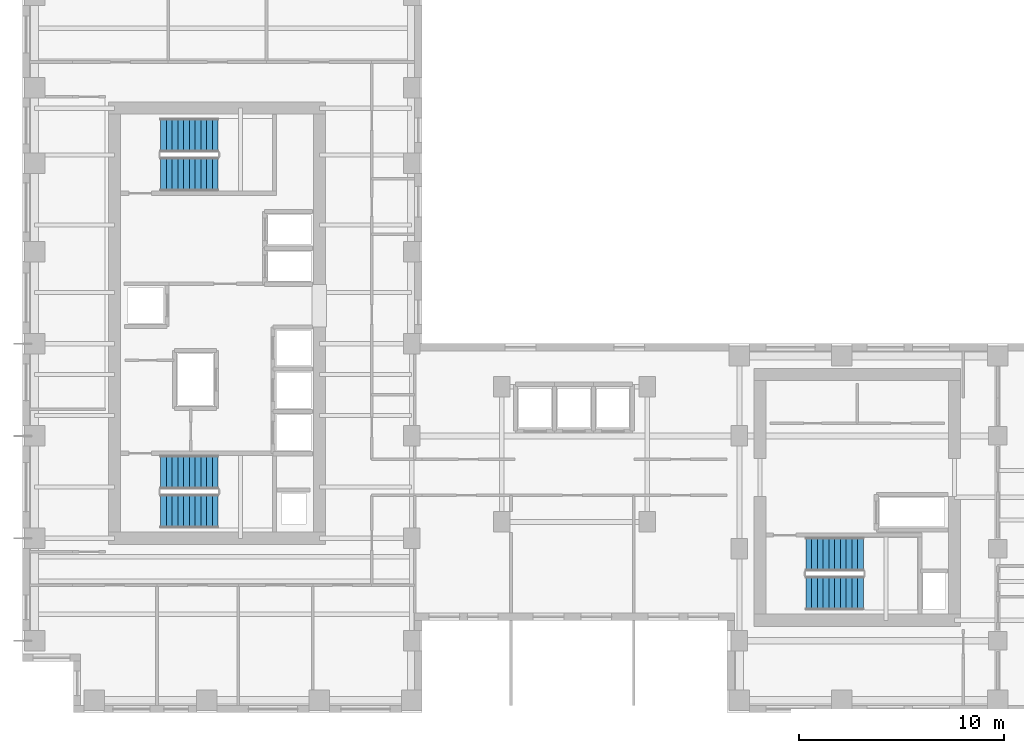
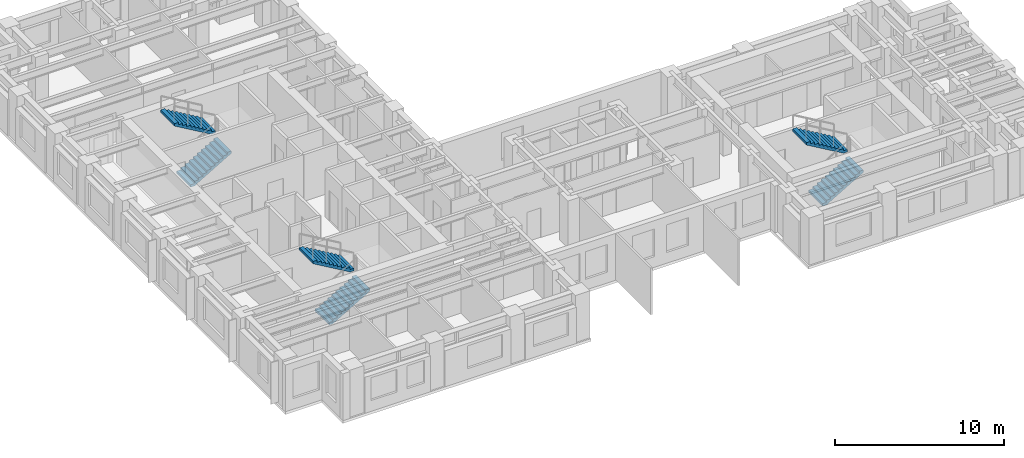
# One storey, part 9 of 11: 6 stair flights, 3 elements without a shape of their own.
"""IFC4 building model written with IfcOpenShell, lengths in metres."""

from ifc_helpers import new_model, si_unit, direction, frame, origin, place, context, subcontext, project, spatial, polyline, outline, extrude, source, transform, mapped, material, type_object, element, aggregate, save


model = new_model("IFC4")

# Units and contexts
model_context = context("Model", 3, precision=1e-05, world=origin(), true_north=direction((0.0, 1.0)))
body_context = subcontext(model_context, "Body", "Model", "MODEL_VIEW")
ifc_project = project(units=[si_unit("LENGTHUNIT", "METRE"), si_unit("AREAUNIT", "SQUARE_METRE"), si_unit("VOLUMEUNIT", "CUBIC_METRE"), si_unit("PLANEANGLEUNIT", "RADIAN"), si_unit("MASSUNIT", "GRAM", prefix="KILO")], contexts=[model_context])

# Site, building, storey
site_placement = place(None, origin())
site = spatial("IfcSite", under=ifc_project, at=site_placement, CompositionType="ELEMENT")
building_placement = place(site_placement, origin())
building = spatial("IfcBuilding", under=site, at=building_placement, Name="Kharzan Plaza Tower", CompositionType="ELEMENT")
storey_placement = place(building_placement, frame((0.0, 0.0, 150.300048828125)))
storey = spatial("IfcBuildingStorey", under=building, at=storey_placement, Name="L40", CompositionType="ELEMENT", Elevation=150.300048828125)

# Stair, stair flights
ifc_material = material(Name="Concrete C40/50", Category="concrete")
stair_type_1 = type_object("IfcStairType", Name="STR-ST-1", PredefinedType="HALF_TURN_STAIR", material=ifc_material)
stair_1_placement = place(storey_placement, origin())
stair_1 = element("IfcStair", 1, at=stair_1_placement, inside=storey, type_object=stair_type_1, Name="L40 Protected Exit Stair ST-1", PredefinedType="HALF_TURN_STAIR")
stair_flight_type = type_object("IfcStairFlightType", Name="SFL-1650-R173", PredefinedType="STRAIGHT", material=ifc_material)
shared_shape = source(origin(), body_context, "Body", "SweptSolid", [
    extrude(outline(polyline([(-0.0029296875, -0.011962890625), (-0.0029296875, 0.0), (0.0, 0.0), (0.0, 0.16357421875), (0.280029296875, 0.16357421875), (0.280029296875, 0.3271484375), (0.56005859375, 0.3271484375), (0.56005859375, 0.49072265625), (0.840087890625, 0.49072265625), (0.840087890625, 0.654296875), (1.1201171875, 0.654296875), (1.1201171875, 0.81787109375), (1.400146484375, 0.81787109375), (1.400146484375, 0.9814453125), (1.68017578125, 0.9814453125), (1.68017578125, 1.14501953125), (1.960205078125, 1.14501953125), (1.960205078125, 1.30859375), (2.240234375, 1.30859375), (2.240234375, 1.47216796875), (2.520263671875, 1.47216796875), (2.520263671875, 1.6357421875), (2.80029296875, 1.6357421875), (2.80029296875, 1.79931640625), (2.80029296875, 1.462158203125), (0.297119140625, 0.0), (0.297119140625, -0.011962890625), (-0.0029296875, -0.011962890625)])), frame((0.0, 0.824951171875, 0.0), z_axis=(0.0, -1.0, 0.0), x_axis=(1.0, 0.0, 0.0)), (0.0, 0.0, 1.0), 1.64990234375),
])
stair_flight_1_placement = place(storey_placement, frame((6.75, 9.824951171875, 0.0), z_axis=(0.0, 0.0, 1.0), x_axis=(1.0, 0.0, 0.0)))
stair_flight_1 = element("IfcStairFlight", 2, at=stair_flight_1_placement, type_object=stair_flight_type, Name="ST-1 flight 1", NumberOfRisers=11, NumberOfTreads=10, PredefinedType="STRAIGHT", RiserHeight=0.163636364, TreadLength=0.28, context=body_context, shape_type="MappedRepresentation", body=[
    mapped(shared_shape, transform((0.0, 0.0, 0.0), x_axis=(1.0, 0.0, 0.0), y_axis=(0.0, 1.0, 0.0), z_axis=(0.0, 0.0, 1.0))),
])
stair_flight_2_placement = place(storey_placement, frame((9.550048828125, 11.72509765625, 1.800048828125), z_axis=(0.0, 0.0, 1.0), x_axis=(-1.0, 0.0, 0.0)))
stair_flight_2 = element("IfcStairFlight", 3, at=stair_flight_2_placement, type_object=stair_flight_type, Name="ST-1 flight 2", NumberOfRisers=11, NumberOfTreads=10, PredefinedType="STRAIGHT", RiserHeight=0.163636364, TreadLength=0.28, context=body_context, shape_type="MappedRepresentation", body=[
    mapped(shared_shape, transform((0.0, 0.0, 0.0), x_axis=(1.0, 0.0, 0.0), y_axis=(0.0, 1.0, 0.0), z_axis=(0.0, 0.0, 1.0))),
])
aggregate(stair_1, [stair_flight_1, stair_flight_2])

stair_type_2 = type_object("IfcStairType", Name="STR-ST-2", PredefinedType="HALF_TURN_STAIR", material=ifc_material)
stair_2_placement = place(storey_placement, origin())
stair_2 = element("IfcStair", 4, at=stair_2_placement, inside=storey, type_object=stair_type_2, Name="L40 Protected Exit Stair ST-2", PredefinedType="HALF_TURN_STAIR")
stair_flight_3_placement = place(storey_placement, frame((6.75, 26.27490234375, 0.0), z_axis=(0.0, 0.0, 1.0), x_axis=(1.0, 0.0, 0.0)))
stair_flight_3 = element("IfcStairFlight", 5, at=stair_flight_3_placement, type_object=stair_flight_type, Name="ST-2 flight 1", NumberOfRisers=11, NumberOfTreads=10, PredefinedType="STRAIGHT", RiserHeight=0.163636364, TreadLength=0.28, context=body_context, shape_type="MappedRepresentation", body=[
    mapped(shared_shape, transform((0.0, 0.0, 0.0), x_axis=(1.0, 0.0, 0.0), y_axis=(0.0, 1.0, 0.0), z_axis=(0.0, 0.0, 1.0))),
])
stair_flight_4_placement = place(storey_placement, frame((9.550048828125, 28.175048828125, 1.800048828125), z_axis=(0.0, 0.0, 1.0), x_axis=(-1.0, 0.0, 0.0)))
stair_flight_4 = element("IfcStairFlight", 6, at=stair_flight_4_placement, type_object=stair_flight_type, Name="ST-2 flight 2", NumberOfRisers=11, NumberOfTreads=10, PredefinedType="STRAIGHT", RiserHeight=0.163636364, TreadLength=0.28, context=body_context, shape_type="MappedRepresentation", body=[
    mapped(shared_shape, transform((0.0, 0.0, 0.0), x_axis=(1.0, 0.0, 0.0), y_axis=(0.0, 1.0, 0.0), z_axis=(0.0, 0.0, 1.0))),
])
aggregate(stair_2, [stair_flight_3, stair_flight_4])

stair_type_3 = type_object("IfcStairType", Name="STR-ST-3", PredefinedType="HALF_TURN_STAIR", material=ifc_material)
stair_3_placement = place(storey_placement, origin())
stair_3 = element("IfcStair", 7, at=stair_3_placement, inside=storey, type_object=stair_type_3, Name="L40 Protected Exit Stair ST-3", PredefinedType="HALF_TURN_STAIR")
stair_flight_5_placement = place(storey_placement, frame((38.25, 5.824951171875, 0.0), z_axis=(0.0, 0.0, 1.0), x_axis=(1.0, 0.0, 0.0)))
stair_flight_5 = element("IfcStairFlight", 8, at=stair_flight_5_placement, type_object=stair_flight_type, Name="ST-3 flight 1", NumberOfRisers=11, NumberOfTreads=10, PredefinedType="STRAIGHT", RiserHeight=0.163636364, TreadLength=0.28, context=body_context, shape_type="MappedRepresentation", body=[
    mapped(shared_shape, transform((0.0, 0.0, 0.0), x_axis=(1.0, 0.0, 0.0), y_axis=(0.0, 1.0, 0.0), z_axis=(0.0, 0.0, 1.0))),
])
stair_flight_6_placement = place(storey_placement, frame((41.050048828125, 7.72509765625, 1.800048828125), z_axis=(0.0, 0.0, 1.0), x_axis=(-1.0, 0.0, 0.0)))
stair_flight_6 = element("IfcStairFlight", 9, at=stair_flight_6_placement, type_object=stair_flight_type, Name="ST-3 flight 2", NumberOfRisers=11, NumberOfTreads=10, PredefinedType="STRAIGHT", RiserHeight=0.163636364, TreadLength=0.28, context=body_context, shape_type="MappedRepresentation", body=[
    mapped(shared_shape, transform((0.0, 0.0, 0.0), x_axis=(1.0, 0.0, 0.0), y_axis=(0.0, 1.0, 0.0), z_axis=(0.0, 0.0, 1.0))),
])
aggregate(stair_3, [stair_flight_5, stair_flight_6])

save(model, "model.ifc")
